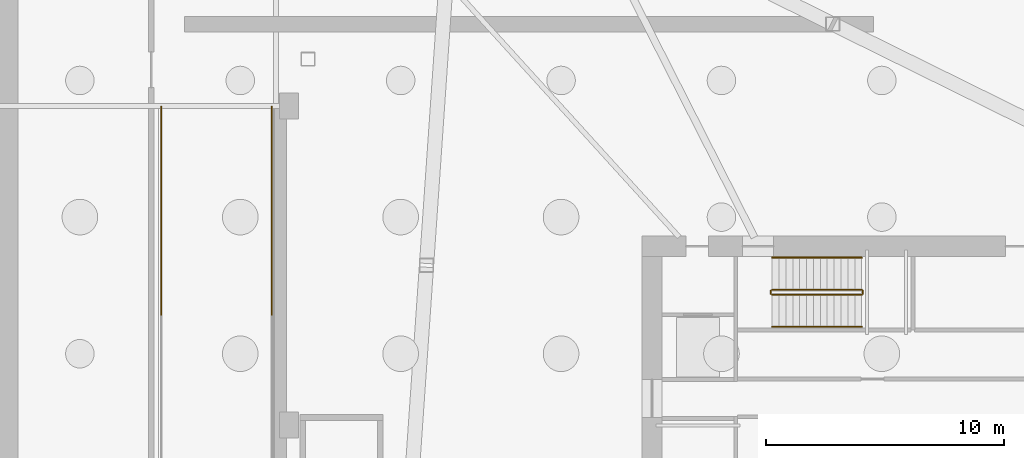
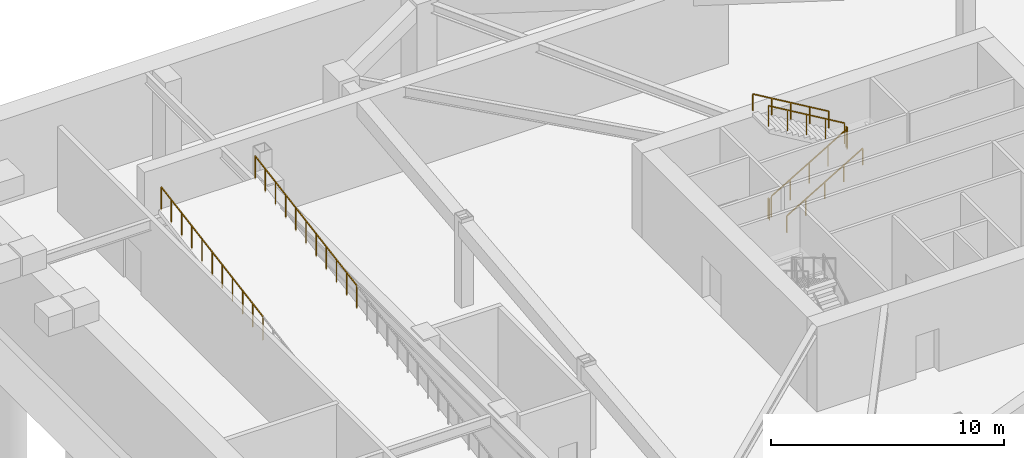
# One storey, part 8 of 9: 16 railings.
"""IFC4 building model written with IfcOpenShell, lengths in metres."""

from ifc_helpers import new_model, si_unit, direction, frame, origin, origin_2d, place, context, subcontext, project, spatial, rectangle, extrude, material, type_object, element, save


model = new_model("IFC4")

# Units and contexts
model_context = context("Model", 3, precision=1e-05, world=origin(), true_north=direction((0.0, 1.0)))
body_context = subcontext(model_context, "Body", "Model", "MODEL_VIEW")
ifc_project = project(units=[si_unit("LENGTHUNIT", "METRE"), si_unit("AREAUNIT", "SQUARE_METRE"), si_unit("VOLUMEUNIT", "CUBIC_METRE"), si_unit("PLANEANGLEUNIT", "RADIAN"), si_unit("MASSUNIT", "GRAM", prefix="KILO")], contexts=[model_context])

# Site, building, storey
site_placement = place(None, origin())
site = spatial("IfcSite", under=ifc_project, at=site_placement, CompositionType="ELEMENT")
building_placement = place(site_placement, origin())
building = spatial("IfcBuilding", under=site, at=building_placement, Name="Olszyna Solenne Hotel", CompositionType="ELEMENT")
storey_placement = place(building_placement, frame((0.0, 0.0, -9.60009765625)))
storey = spatial("IfcBuildingStorey", under=building, at=storey_placement, Name="B02", CompositionType="ELEMENT", Elevation=-9.60009765625)

# Railings
ifc_material_1 = material(Name="Anodised bronze aluminium", Category="aluminium")
railing_type_1 = type_object("IfcRailingType", Name="GR-110", PredefinedType="BALUSTRADE", material=ifc_material_1)
railing_1_placement = place(storey_placement, frame((34.72998046875, 32.080078125, 0.171630859375)))
element("IfcRailing", 1, at=railing_1_placement, inside=storey, type_object=railing_type_1, Name="B02 ST3 stair guard 1", PredefinedType="BALUSTRADE", context=body_context, shape_type="SweptSolid", body=[
    extrude(rectangle(XDim=0.048095703125, YDim=0.048095703125, at=origin_2d()), frame((0.0, 0.0, 1.076171875), z_axis=(0.860848830602, 0.0, 0.508860777473), x_axis=(0.0, 1.0, 0.0)), (0.0, 0.0, 1.0), 4.37939453125),
    extrude(rectangle(XDim=0.0419921875, YDim=0.0419921875, at=origin_2d()), origin(), (0.0, 0.0, 1.0), 1.052001953125),
    extrude(rectangle(XDim=0.0419921875, YDim=0.0419921875, at=origin_2d()), frame((0.9423828125, 0.0, 0.55712890625)), (0.0, 0.0, 1.0), 1.052001953125),
    extrude(rectangle(XDim=0.0419921875, YDim=0.0419921875, at=origin_2d()), frame((1.885009765625, 0.0, 1.1142578125)), (0.0, 0.0, 1.0), 1.052001953125),
    extrude(rectangle(XDim=0.0419921875, YDim=0.0419921875, at=origin_2d()), frame((2.82763671875, 0.0, 1.67138671875)), (0.0, 0.0, 1.0), 1.052001953125),
    extrude(rectangle(XDim=0.0419921875, YDim=0.0419921875, at=origin_2d()), frame((3.77001953125, 0.0, 2.228515625)), (0.0, 0.0, 1.0), 1.052001953125),
])
railing_2_placement = place(storey_placement, frame((38.550048828125, 32.1298828125, 2.400146484375)))
element("IfcRailing", 2, at=railing_2_placement, inside=storey, type_object=railing_type_1, Name="B02 ST3 stair guard 2", PredefinedType="BALUSTRADE", context=body_context, shape_type="SweptSolid", body=[
    extrude(rectangle(XDim=0.048095703125, YDim=0.048095703125, at=origin_2d()), frame((0.0, 0.0, 1.076171875), z_axis=(0.0, 1.0, 0.0), x_axis=(-1.0, 0.0, 0.0)), (0.0, 0.0, 1.0), 0.1201171875),
    extrude(rectangle(XDim=0.0419921875, YDim=0.0419921875, at=origin_2d()), origin(), (0.0, 0.0, 1.0), 1.052001953125),
    extrude(rectangle(XDim=0.0419921875, YDim=0.0419921875, at=origin_2d()), frame((0.0, 0.1201171875, 0.0)), (0.0, 0.0, 1.0), 1.052001953125),
])
railing_3_placement = place(storey_placement, frame((38.5, 32.300048828125, 2.571533203125)))
element("IfcRailing", 3, at=railing_3_placement, inside=storey, type_object=railing_type_1, Name="B02 ST3 stair guard 3", PredefinedType="BALUSTRADE", context=body_context, shape_type="SweptSolid", body=[
    extrude(rectangle(XDim=0.048095703125, YDim=0.048095703125, at=origin_2d()), frame((0.0, 0.0, 1.076171875), z_axis=(-0.860848830602, 0.0, 0.508860777473), x_axis=(0.0, -1.0, 0.0)), (0.0, 0.0, 1.0), 4.37939453125),
    extrude(rectangle(XDim=0.0419921875, YDim=0.0419921875, at=origin_2d()), origin(), (0.0, 0.0, 1.0), 1.052001953125),
    extrude(rectangle(XDim=0.0419921875, YDim=0.0419921875, at=origin_2d()), frame((-0.9423828125, 0.0, 0.55712890625)), (0.0, 0.0, 1.0), 1.052001953125),
    extrude(rectangle(XDim=0.0419921875, YDim=0.0419921875, at=origin_2d()), frame((-1.885009765625, 0.0, 1.1142578125)), (0.0, 0.0, 1.0), 1.052001953125),
    extrude(rectangle(XDim=0.0419921875, YDim=0.0419921875, at=origin_2d()), frame((-2.82763671875, 0.0, 1.67138671875)), (0.0, 0.0, 1.0), 1.052001953125),
    extrude(rectangle(XDim=0.0419921875, YDim=0.0419921875, at=origin_2d()), frame((-3.77001953125, 0.0, 2.228515625)), (0.0, 0.0, 1.0), 1.052001953125),
])
railing_4_placement = place(storey_placement, frame((34.679931640625, 32.1298828125, 0.0)))
element("IfcRailing", 4, at=railing_4_placement, inside=storey, type_object=railing_type_1, Name="B02 ST3 stair guard 4", PredefinedType="BALUSTRADE", context=body_context, shape_type="SweptSolid", body=[
    extrude(rectangle(XDim=0.048095703125, YDim=0.048095703125, at=origin_2d()), frame((0.0, 0.0, 1.076171875), z_axis=(0.0, 1.0, 0.0), x_axis=(-1.0, 0.0, 0.0)), (0.0, 0.0, 1.0), 0.1201171875),
    extrude(rectangle(XDim=0.0419921875, YDim=0.0419921875, at=origin_2d()), origin(), (0.0, 0.0, 1.0), 1.052001953125),
    extrude(rectangle(XDim=0.0419921875, YDim=0.0419921875, at=origin_2d()), frame((0.0, 0.1201171875, 0.0)), (0.0, 0.0, 1.0), 1.052001953125),
])
ifc_material_2 = material(Name="Steel S355J2", Category="steel")
railing_type_2 = type_object("IfcRailingType", Name="GR-115", PredefinedType="BALUSTRADE", material=ifc_material_2)
for number, where, name in (
    (5, (9.02001953125, 31.25, 3.22021484375), "Vehicle ramp RFL-V01 W edge guard GR-V1W-12"),
    (6, (13.679931640625, 31.25, 3.22021484375), "Vehicle ramp RFL-V01 E edge guard GR-V1E-12"),
):
    element("IfcRailing", number, at=place(storey_placement, frame(where)), inside=storey, type_object=railing_type_2, Name=name, PredefinedType="BALUSTRADE", context=body_context, shape_type="SweptSolid", body=[
        extrude(rectangle(XDim=0.048095703125, YDim=0.048095703125, at=origin_2d()), frame((0.0, 0.0, 1.22607421875), z_axis=(0.0, 0.985640568569, 0.168856950084), x_axis=(-1.0, 0.0, 0.0)), (0.0, 0.0, 1.0), 1.775390625),
        extrude(rectangle(XDim=0.0419921875, YDim=0.0419921875, at=origin_2d()), origin(), (0.0, 0.0, 1.0), 1.201904296875),
        extrude(rectangle(XDim=0.0419921875, YDim=0.0419921875, at=origin_2d()), frame((0.0, 0.875, 0.14990234375)), (0.0, 0.0, 1.0), 1.201904296875),
        extrude(rectangle(XDim=0.0419921875, YDim=0.0419921875, at=origin_2d()), frame((0.0, 1.75, 0.2998046875)), (0.0, 0.0, 1.0), 1.201904296875),
    ])
for number, where, name in (
    (7, (9.02001953125, 33.0, 3.52001953125), "Vehicle ramp RFL-V01 W edge guard GR-V1W-13"),
    (8, (13.679931640625, 33.0, 3.52001953125), "Vehicle ramp RFL-V01 E edge guard GR-V1E-13"),
    (9, (9.02001953125, 34.75, 3.820068359375), "Vehicle ramp RFL-V01 W edge guard GR-V1W-14"),
    (10, (13.679931640625, 34.75, 3.820068359375), "Vehicle ramp RFL-V01 E edge guard GR-V1E-14"),
    (11, (9.02001953125, 36.5, 4.1201171875), "Vehicle ramp RFL-V01 W edge guard GR-V1W-15"),
    (12, (13.679931640625, 36.5, 4.1201171875), "Vehicle ramp RFL-V01 E edge guard GR-V1E-15"),
    (13, (9.02001953125, 38.25, 4.420166015625), "Vehicle ramp RFL-V01 W edge guard GR-V1W-16"),
    (14, (13.679931640625, 38.25, 4.420166015625), "Vehicle ramp RFL-V01 E edge guard GR-V1E-16"),
):
    element("IfcRailing", number, at=place(storey_placement, frame(where)), inside=storey, type_object=railing_type_2, Name=name, PredefinedType="BALUSTRADE", context=body_context, shape_type="SweptSolid", body=[
        extrude(rectangle(XDim=0.048095703125, YDim=0.048095703125, at=origin_2d()), frame((0.0, 0.0, 1.22607421875), z_axis=(0.0, 0.98561767467, 0.168990530437), x_axis=(-1.0, 0.0, 0.0)), (0.0, 0.0, 1.0), 1.775634765625),
        extrude(rectangle(XDim=0.0419921875, YDim=0.0419921875, at=origin_2d()), origin(), (0.0, 0.0, 1.0), 1.201904296875),
        extrude(rectangle(XDim=0.0419921875, YDim=0.0419921875, at=origin_2d()), frame((0.0, 0.875, 0.14990234375)), (0.0, 0.0, 1.0), 1.201904296875),
        extrude(rectangle(XDim=0.0419921875, YDim=0.0419921875, at=origin_2d()), frame((0.0, 1.75, 0.300048828125)), (0.0, 0.0, 1.0), 1.201904296875),
    ])
railing_type_3 = type_object("IfcRailingType", Name="HR-090", PredefinedType="HANDRAIL", material=ifc_material_2)
railing_5_placement = place(storey_placement, frame((34.72998046875, 30.72998046875, 0.171630859375)))
element("IfcRailing", 15, at=railing_5_placement, inside=storey, type_object=railing_type_3, Name="B02 ST3 stair handrail 1", PredefinedType="HANDRAIL", context=body_context, shape_type="SweptSolid", body=[
    extrude(rectangle(XDim=0.048095703125, YDim=0.048095703125, at=origin_2d()), frame((0.0, 0.0, 0.8759765625), z_axis=(0.860848830602, 0.0, 0.508860777473), x_axis=(0.0, 1.0, 0.0)), (0.0, 0.0, 1.0), 4.37939453125),
    extrude(rectangle(XDim=0.0419921875, YDim=0.0419921875, at=origin_2d()), origin(), (0.0, 0.0, 1.0), 0.851806640625),
    extrude(rectangle(XDim=0.0419921875, YDim=0.0419921875, at=origin_2d()), frame((0.9423828125, 0.0, 0.55712890625)), (0.0, 0.0, 1.0), 0.851806640625),
    extrude(rectangle(XDim=0.0419921875, YDim=0.0419921875, at=origin_2d()), frame((1.885009765625, 0.0, 1.1142578125)), (0.0, 0.0, 1.0), 0.851806640625),
    extrude(rectangle(XDim=0.0419921875, YDim=0.0419921875, at=origin_2d()), frame((2.82763671875, 0.0, 1.67138671875)), (0.0, 0.0, 1.0), 0.851806640625),
    extrude(rectangle(XDim=0.0419921875, YDim=0.0419921875, at=origin_2d()), frame((3.77001953125, 0.0, 2.228515625)), (0.0, 0.0, 1.0), 0.851806640625),
])
railing_6_placement = place(storey_placement, frame((38.5, 33.64990234375, 2.571533203125)))
element("IfcRailing", 16, at=railing_6_placement, inside=storey, type_object=railing_type_3, Name="B02 ST3 stair handrail 2", PredefinedType="HANDRAIL", context=body_context, shape_type="SweptSolid", body=[
    extrude(rectangle(XDim=0.048095703125, YDim=0.048095703125, at=origin_2d()), frame((0.0, 0.0, 0.8759765625), z_axis=(-0.860848830602, 0.0, 0.508860777473), x_axis=(0.0, -1.0, 0.0)), (0.0, 0.0, 1.0), 4.37939453125),
    extrude(rectangle(XDim=0.0419921875, YDim=0.0419921875, at=origin_2d()), origin(), (0.0, 0.0, 1.0), 0.851806640625),
    extrude(rectangle(XDim=0.0419921875, YDim=0.0419921875, at=origin_2d()), frame((-0.9423828125, 0.0, 0.55712890625)), (0.0, 0.0, 1.0), 0.851806640625),
    extrude(rectangle(XDim=0.0419921875, YDim=0.0419921875, at=origin_2d()), frame((-1.885009765625, 0.0, 1.1142578125)), (0.0, 0.0, 1.0), 0.851806640625),
    extrude(rectangle(XDim=0.0419921875, YDim=0.0419921875, at=origin_2d()), frame((-2.82763671875, 0.0, 1.67138671875)), (0.0, 0.0, 1.0), 0.851806640625),
    extrude(rectangle(XDim=0.0419921875, YDim=0.0419921875, at=origin_2d()), frame((-3.77001953125, 0.0, 2.228515625)), (0.0, 0.0, 1.0), 0.851806640625),
])

save(model, "model.ifc")
